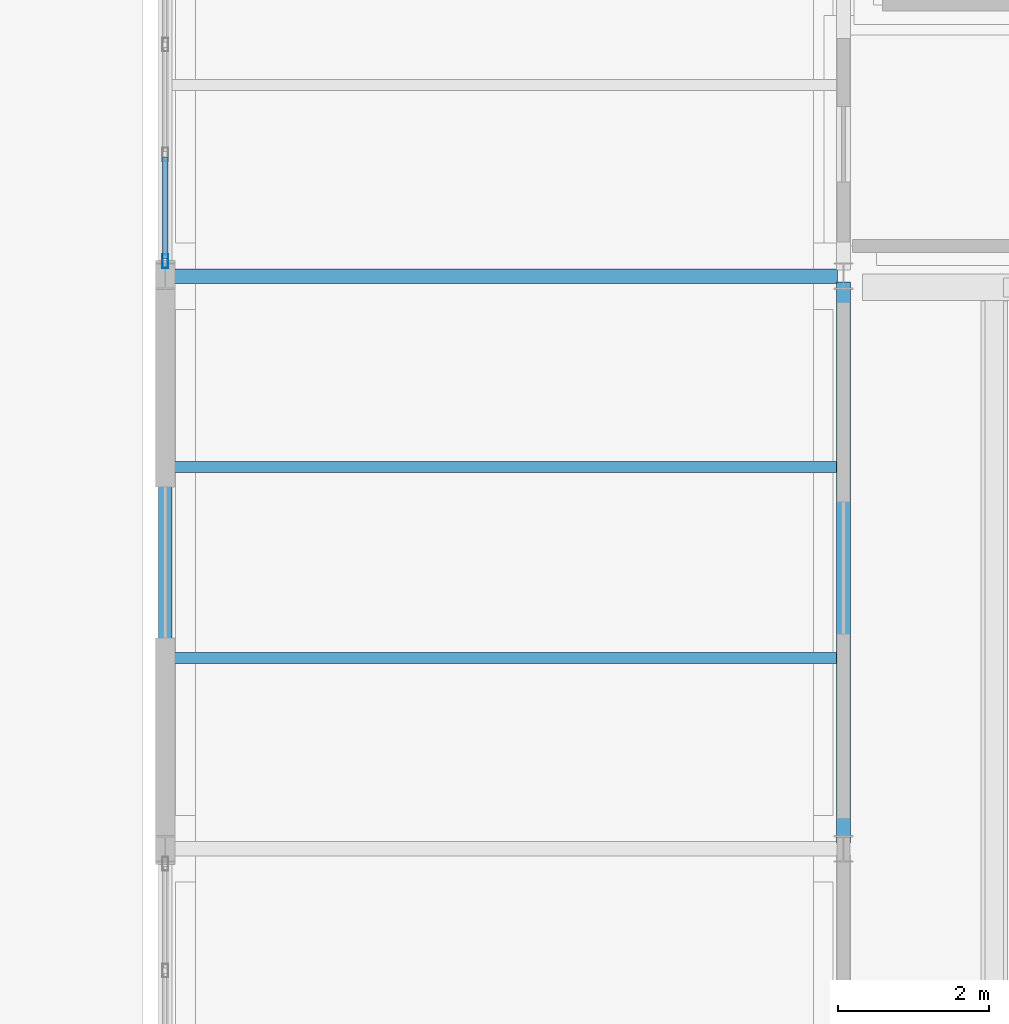
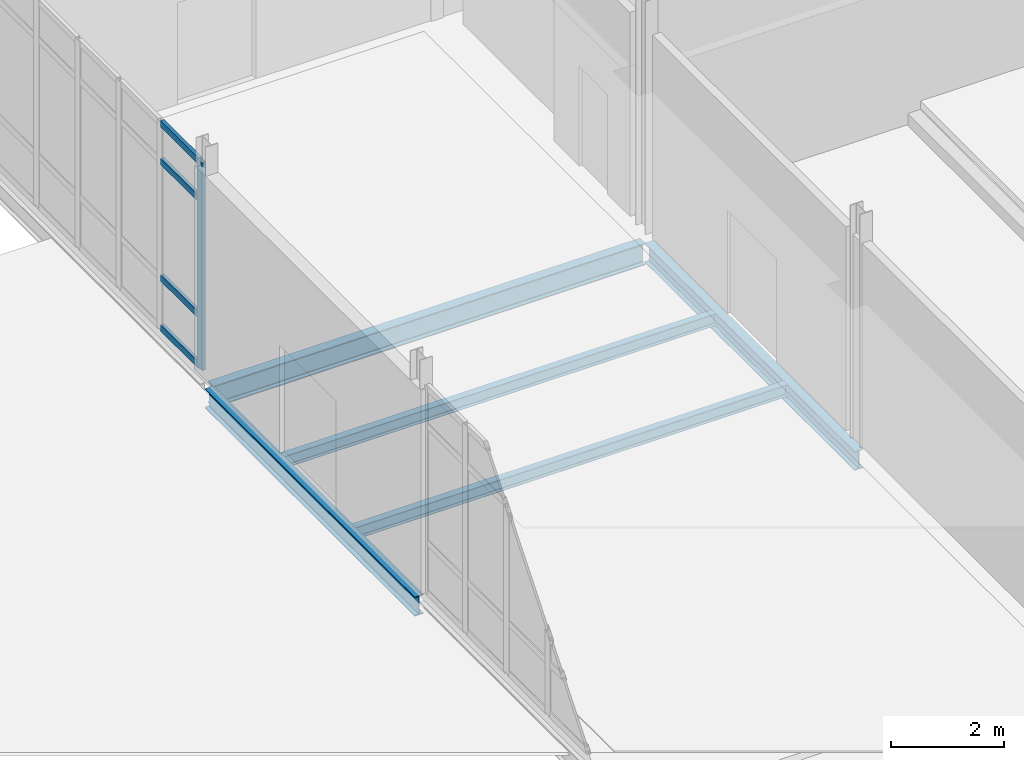
# One storey, part 103 of 161: 5 beams, 5 members, 1 element without a shape of its own.
"""IFC4 building model written with IfcOpenShell, lengths in metres."""

from ifc_helpers import new_model, si_unit, direction, frame, origin, origin_2d, place, context, subcontext, project, spatial, hollow_rectangle, i_section, extrude, material, material_profile, profile_set, type_object, element, aggregate, save


model = new_model("IFC4")

# Units and contexts
model_context = context("Model", 3, precision=1e-05, world=origin(), true_north=direction((0.0, 1.0)))
body_context = subcontext(model_context, "Body", "Model", "MODEL_VIEW")
ifc_project = project(units=[si_unit("LENGTHUNIT", "METRE"), si_unit("AREAUNIT", "SQUARE_METRE"), si_unit("VOLUMEUNIT", "CUBIC_METRE"), si_unit("PLANEANGLEUNIT", "RADIAN"), si_unit("MASSUNIT", "GRAM", prefix="KILO")], contexts=[model_context])

# Site, building, storey
site_placement = place(None, origin())
site = spatial("IfcSite", under=ifc_project, at=site_placement, CompositionType="ELEMENT")
building_placement = place(site_placement, origin())
building = spatial("IfcBuilding", under=site, at=building_placement, Name="Caisbarro Railhouse Central Library", CompositionType="ELEMENT")
storey_placement = place(building_placement, origin())
storey = spatial("IfcBuildingStorey", under=building, at=storey_placement, Name="L00", CompositionType="ELEMENT", Elevation=0.0)

# Beams
ifc_material_1 = material(Name="Steel ASTM A572 Grade 50", Category="steel")
ifc_material_profile_1 = material_profile(ifc_material_1, i_section(OverallWidth=0.194091796875, OverallDepth=0.468994140625, WebThickness=0.0126953125, FlangeThickness=0.0205078125, FilletRadius=0.01806640625, at=origin_2d()), Name="W460X106.0")
ifc_profile_set_1 = profile_set([ifc_material_profile_1], Name="Steel ASTM A572 Grade 50")
beam_type_1 = type_object("IfcBeamType", Name="BM-G07", PredefinedType="BEAM", material=ifc_profile_set_1)
beam_placement = place(storey_placement, frame((144.080078125, 30.39990234375, -0.484619140625), z_axis=(1.0, 0.0, 0.0), x_axis=(0.0, 1.0, 0.0)))
element("IfcBeam", 1, at=beam_placement, inside=storey, type_object=beam_type_1, Name="G07 beam L00 #460", PredefinedType="BEAM", context=body_context, shape_type="SweptSolid", body=[
    extrude(i_section(OverallWidth=0.194091796875, OverallDepth=0.468994140625, WebThickness=0.0126953125, FlangeThickness=0.0205078125, FilletRadius=0.01806640625, at=origin_2d()), origin(), (0.0, 0.0, 1.0), 8.83984375),
])
ifc_material_profile_2 = material_profile(ifc_material_1, i_section(OverallWidth=0.180908203125, OverallDepth=0.4169921875, WebThickness=0.010986328125, FlangeThickness=0.018310546875, FilletRadius=0.01611328125, at=origin_2d()), Name="W410X85.0")
ifc_profile_set_2 = profile_set([ifc_material_profile_2], Name="Steel ASTM A572 Grade 50")
beam_type_2 = type_object("IfcBeamType", Name="BM-G09", PredefinedType="BEAM", material=ifc_profile_set_2)
for number, where, z_axis, x_axis, name in (
    (2, (144.0, 22.8798828125, -0.45849609375), (0.0, 1.0, 0.0), (-1.0, 0.0, 0.0), "G09 beam L00 #468"),
    (3, (153.0, 22.8798828125, -0.45849609375), (0.0, 1.0, 0.0), (-1.0, 0.0, 0.0), "G09 beam L00 #473"),
):
    element("IfcBeam", number, at=place(storey_placement, frame(where, z_axis=z_axis, x_axis=x_axis)), inside=storey, type_object=beam_type_2, Name=name, PredefinedType="BEAM", context=body_context, shape_type="SweptSolid", body=[
        extrude(i_section(OverallWidth=0.180908203125, OverallDepth=0.4169921875, WebThickness=0.010986328125, FlangeThickness=0.018310546875, FilletRadius=0.01611328125, at=origin_2d()), origin(), (0.0, 0.0, 1.0), 7.440185546875),
    ])
ifc_material_profile_3 = material_profile(ifc_material_1, i_section(OverallWidth=0.14599609375, OverallDepth=0.258056640625, WebThickness=0.006103515625, FlangeThickness=0.009033203125, FilletRadius=0.010009765625, at=origin_2d()), Name="W250X32.7")
ifc_profile_set_3 = profile_set([ifc_material_profile_3], Name="Steel ASTM A572 Grade 50")
beam_type_3 = type_object("IfcBeamType", Name="BM-J05", PredefinedType="JOIST", material=ifc_profile_set_3)
for number, where, z_axis, x_axis, name in (
    (4, (144.090576171875, 25.333251953125, -0.37890625), (1.0, 0.0, 0.0), (0.0, 1.0, 0.0), "J05 beam L00 #486"),
    (5, (144.090576171875, 27.86669921875, -0.37890625), (1.0, 0.0, 0.0), (0.0, 1.0, 0.0), "J05 beam L00 #487"),
):
    element("IfcBeam", number, at=place(storey_placement, frame(where, z_axis=z_axis, x_axis=x_axis)), inside=storey, type_object=beam_type_3, Name=name, PredefinedType="JOIST", context=body_context, shape_type="SweptSolid", body=[
        extrude(i_section(OverallWidth=0.14599609375, OverallDepth=0.258056640625, WebThickness=0.006103515625, FlangeThickness=0.009033203125, FilletRadius=0.010009765625, at=origin_2d()), origin(), (0.0, 0.0, 1.0), 8.81884765625),
    ])

# Curtain wall, members
ifc_material_2 = material(Name="Anodised architectural aluminium", Category="aluminium")
curtain_wall_type = type_object("IfcCurtainWallType", Name="CW-CW01", PredefinedType="NOTDEFINED", material=ifc_material_2)
curtain_wall_placement = place(storey_placement, origin())
curtain_wall = element("IfcCurtainWall", 6, at=curtain_wall_placement, inside=storey, type_object=curtain_wall_type, Name="CW01 curtain wall L00 #87", PredefinedType="NOTDEFINED")
ifc_material_profile_4 = material_profile(ifc_material_2, hollow_rectangle(XDim=0.074951171875, YDim=0.179931640625, WallThickness=0.00439453125, at=origin_2d()), Name="ALU-MUL-75X180")
ifc_profile_set_4 = profile_set([ifc_material_profile_4], Name="Anodised architectural aluminium")
member_type_1 = type_object("IfcMemberType", Name="CWM-M01", PredefinedType="MULLION", material=ifc_profile_set_4)
member_1_placement = place(storey_placement, frame((144.0, 30.597412109375, 0.0), z_axis=(0.0, 0.0, 1.0), x_axis=(-1.0, 0.0, 0.0)))
member_1 = element("IfcMember", 7, at=member_1_placement, type_object=member_type_1, Name="CW01 mullion 1", PredefinedType="MULLION", context=body_context, shape_type="SweptSolid", body=[
    extrude(hollow_rectangle(XDim=0.074951171875, YDim=0.179931640625, WallThickness=0.00439453125, at=origin_2d()), origin(), (0.0, 0.0, 1.0), 4.489990234375),
])
ifc_material_profile_5 = material_profile(ifc_material_2, hollow_rectangle(XDim=0.074951171875, YDim=0.139892578125, WallThickness=0.00390625, at=origin_2d()), Name="ALU-TRN-75X140")
ifc_profile_set_5 = profile_set([ifc_material_profile_5], Name="Anodised architectural aluminium")
member_type_2 = type_object("IfcMemberType", Name="CWT-T01", PredefinedType="USERDEFINED", material=ifc_profile_set_5)
member_2_placement = place(storey_placement, frame((144.0, 30.635009765625, 0.03759765625), z_axis=(0.0, 1.0, 0.0), x_axis=(-1.0, 0.0, 0.0)))
member_2 = element("IfcMember", 8, at=member_2_placement, type_object=member_type_2, Name="CW01 transom 1.1", ObjectType="TRANSOM", PredefinedType="USERDEFINED", context=body_context, shape_type="SweptSolid", body=[
    extrude(hollow_rectangle(XDim=0.074951171875, YDim=0.139892578125, WallThickness=0.00390625, at=origin_2d()), origin(), (0.0, 0.0, 1.0), 1.343505859375),
])
member_3_placement = place(storey_placement, frame((144.0, 30.635009765625, 1.1201171875), z_axis=(0.0, 1.0, 0.0), x_axis=(-1.0, 0.0, 0.0)))
member_3 = element("IfcMember", 9, at=member_3_placement, type_object=member_type_2, Name="CW01 transom 1.2", ObjectType="TRANSOM", PredefinedType="USERDEFINED", context=body_context, shape_type="SweptSolid", body=[
    extrude(hollow_rectangle(XDim=0.074951171875, YDim=0.139892578125, WallThickness=0.00390625, at=origin_2d()), origin(), (0.0, 0.0, 1.0), 1.343505859375),
])
member_4_placement = place(storey_placement, frame((144.0, 30.635009765625, 3.639892578125), z_axis=(0.0, 1.0, 0.0), x_axis=(-1.0, 0.0, 0.0)))
member_4 = element("IfcMember", 10, at=member_4_placement, type_object=member_type_2, Name="CW01 transom 1.3", ObjectType="TRANSOM", PredefinedType="USERDEFINED", context=body_context, shape_type="SweptSolid", body=[
    extrude(hollow_rectangle(XDim=0.074951171875, YDim=0.139892578125, WallThickness=0.00390625, at=origin_2d()), origin(), (0.0, 0.0, 1.0), 1.343505859375),
])
member_5_placement = place(storey_placement, frame((144.0, 30.635009765625, 4.452392578125), z_axis=(0.0, 1.0, 0.0), x_axis=(-1.0, 0.0, 0.0)))
member_5 = element("IfcMember", 11, at=member_5_placement, type_object=member_type_2, Name="CW01 transom 1.4", ObjectType="TRANSOM", PredefinedType="USERDEFINED", context=body_context, shape_type="SweptSolid", body=[
    extrude(hollow_rectangle(XDim=0.074951171875, YDim=0.139892578125, WallThickness=0.00390625, at=origin_2d()), origin(), (0.0, 0.0, 1.0), 1.343505859375),
])
aggregate(curtain_wall, [member_1, member_2, member_3, member_4, member_5])

save(model, "model.ifc")
